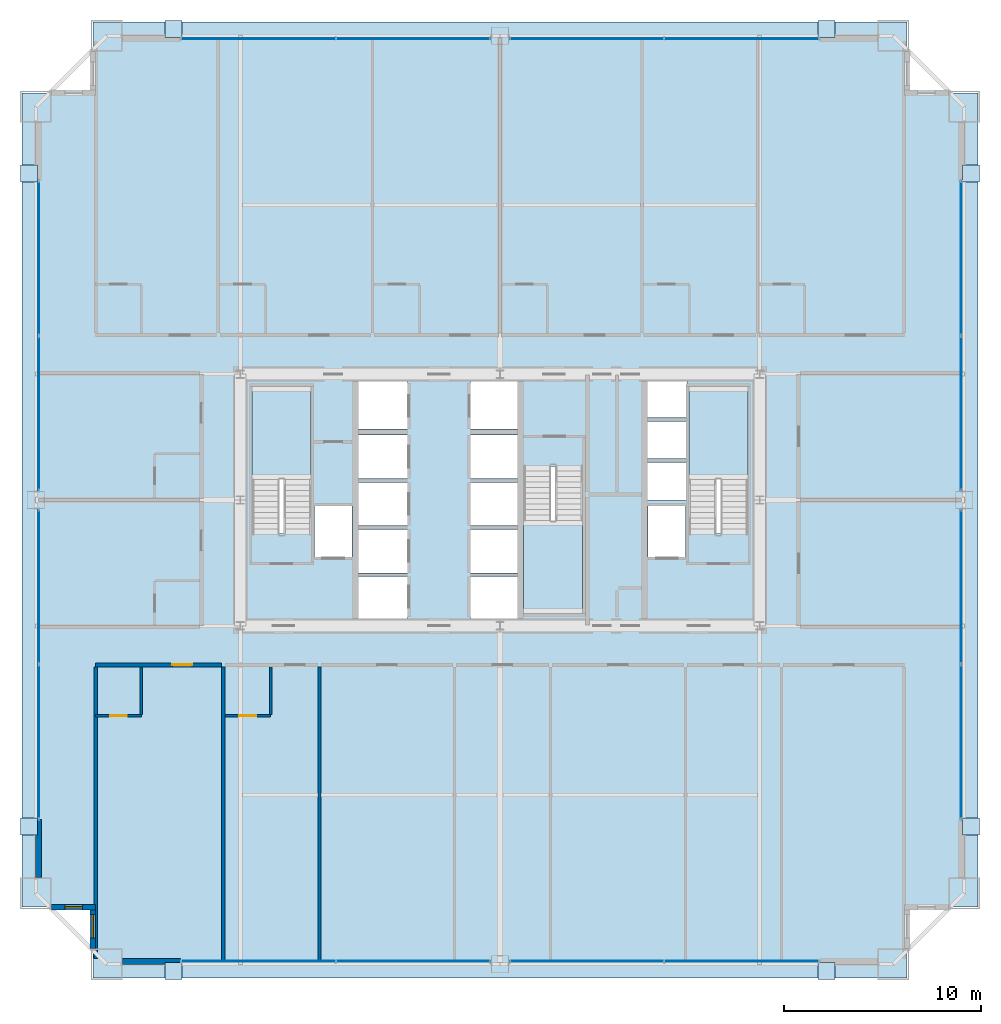
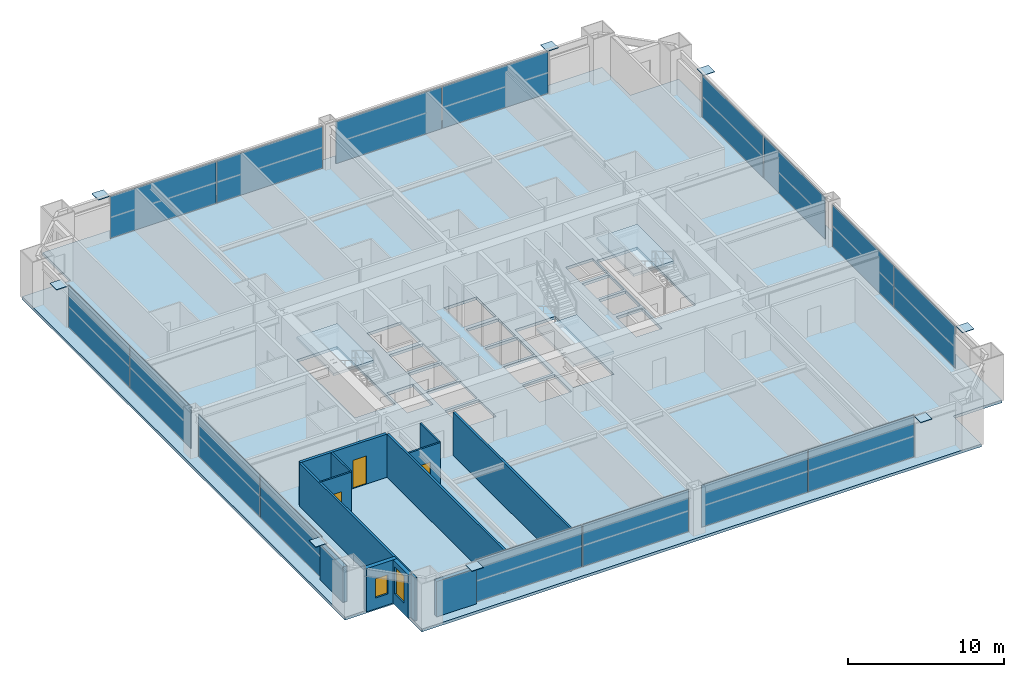
# One storey, part 34 of 39: 24 plates, 12 walls, 4 slabs, 3 doors, 2 windows, 5 openings, 11 elements without a shape of their own.
"""IFC4 building model written with IfcOpenShell, lengths in metres."""

from ifc_helpers import new_model, si_unit, direction, frame, frame_2d, origin, origin_2d, place, context, subcontext, project, spatial, polyline, rectangle, outline, extrude, source, transform, mapped, material, layer, layer_set, type_object, element, fill, aggregate, save


model = new_model("IFC4")

# Units and contexts
model_context = context("Model", 3, precision=1e-05, world=origin(), true_north=direction((0.0, 1.0)))
body_context = subcontext(model_context, "Body", "Model", "MODEL_VIEW")
ifc_project = project(units=[si_unit("LENGTHUNIT", "METRE"), si_unit("AREAUNIT", "SQUARE_METRE"), si_unit("VOLUMEUNIT", "CUBIC_METRE"), si_unit("PLANEANGLEUNIT", "RADIAN"), si_unit("MASSUNIT", "GRAM", prefix="KILO"), si_unit("THERMODYNAMICTEMPERATUREUNIT", "KELVIN"), si_unit("POWERUNIT", "WATT")], contexts=[model_context])

# Site, building, storey
site_placement = place(None, origin())
site = spatial("IfcSite", under=ifc_project, at=site_placement, CompositionType="ELEMENT")
building_placement = place(site_placement, origin())
building = spatial("IfcBuilding", under=site, at=building_placement, Name="Yuzanri Waterfront Tower", CompositionType="ELEMENT")
storey_placement = place(building_placement, frame((0.0, 0.0, 156.0)))
storey = spatial("IfcBuildingStorey", under=building, at=storey_placement, Name="L41", CompositionType="ELEMENT", Elevation=156.0)

# Stair, slab
ifc_material_1 = material(Name="Concrete C40", Category="concrete")
stair_type = type_object("IfcStairType", Name="Concrete C40 Core Dogleg Exit Stair", PredefinedType="HALF_TURN_STAIR", material=ifc_material_1)
stair_1_placement = place(storey_placement, origin())
stair_1 = element("IfcStair", 1, at=stair_1_placement, inside=storey, type_object=stair_type, Name="L41 Smoke-Proof Core Stair ST-01", PredefinedType="HALF_TURN_STAIR")
ifc_material_2 = material(Name="Concrete C40", Category="concrete")
ifc_layer_1 = layer(ifc_material_2, 0.179931640625)
ifc_layer_set_1 = layer_set([ifc_layer_1], Name="Concrete C40")
slab_type_1 = type_object("IfcSlabType", Name="Concrete C40 Stair Half-Landing Slab 180", PredefinedType="LANDING", material=ifc_layer_set_1)
slab_1_placement = place(storey_placement, frame((0.0, 0.0, 1.60009765625)))
slab_1 = element("IfcSlab", 2, at=slab_1_placement, type_object=slab_type_1, Name="ST-01 landing 1", PredefinedType="LANDING", context=body_context, shape_type="SweptSolid", body=[
    extrude(outline(polyline([(27.39990234375, 26.840087890625), (27.39990234375, 31.580078125), (24.39990234375, 31.580078125), (24.39990234375, 26.840087890625), (27.39990234375, 26.840087890625)])), origin(), (0.0, 0.0, 1.0), 0.199951171875),
])
aggregate(stair_1, [slab_1])

stair_2_placement = place(storey_placement, origin())
stair_2 = element("IfcStair", 3, at=stair_2_placement, inside=storey, type_object=stair_type, Name="L41 Smoke-Proof Core Stair ST-02", PredefinedType="HALF_TURN_STAIR")
slab_2_placement = place(storey_placement, frame((0.0, 0.0, 1.60009765625)))
slab_2 = element("IfcSlab", 4, at=slab_2_placement, type_object=slab_type_1, Name="ST-02 landing 1", PredefinedType="LANDING", context=body_context, shape_type="SweptSolid", body=[
    extrude(outline(polyline([(49.60009765625, 26.840087890625), (49.60009765625, 31.580078125), (46.60009765625, 31.580078125), (46.60009765625, 26.840087890625), (49.60009765625, 26.840087890625)])), origin(), (0.0, 0.0, 1.0), 0.199951171875),
])
aggregate(stair_2, [slab_2])

stair_3_placement = place(storey_placement, origin())
stair_3 = element("IfcStair", 5, at=stair_3_placement, inside=storey, type_object=stair_type, Name="L41 Smoke-Proof Core Stair ST-03", PredefinedType="HALF_TURN_STAIR")
slab_3_placement = place(storey_placement, frame((0.0, 0.0, 1.60009765625)))
slab_3 = element("IfcSlab", 6, at=slab_3_placement, type_object=slab_type_1, Name="ST-03 landing 1", PredefinedType="LANDING", context=body_context, shape_type="SweptSolid", body=[
    extrude(outline(polyline([(38.199951171875, 24.760009765625), (38.199951171875, 20.02001953125), (41.199951171875, 20.02001953125), (41.199951171875, 24.760009765625), (38.199951171875, 24.760009765625)])), origin(), (0.0, 0.0, 1.0), 0.199951171875),
])
aggregate(stair_3, [slab_3])

# Slab
ifc_material_3 = material(Name="Concrete C40", Category="concrete")
ifc_layer_2 = layer(ifc_material_3, 0.219970703125)
ifc_layer_set_2 = layer_set([ifc_layer_2], Name="Concrete C40")
slab_type_2 = type_object("IfcSlabType", Name="Concrete C40 Tower Typical Structural Floor Slab 220", PredefinedType="FLOOR", material=ifc_layer_set_2)
slab_4_placement = place(storey_placement, frame((0.0, 0.0, -0.219970703125)))
element("IfcSlab", 7, at=slab_4_placement, inside=storey, type_object=slab_type_2, Name="L41 Main Structural Floor Slab", PredefinedType="FLOOR", context=body_context, shape_type="SweptSolid", body=[
    extrude(outline(polyline([(16.300048828125, 1.5), (57.699951171875, 1.5), (57.699951171875, 5.10009765625), (61.300048828125, 5.10009765625), (61.300048828125, 46.5), (57.699951171875, 46.5), (57.699951171875, 50.10009765625), (16.300048828125, 50.10009765625), (16.300048828125, 46.5), (12.699951171875, 46.5), (12.699951171875, 5.10009765625), (16.300048828125, 5.10009765625), (16.300048828125, 1.5)]), holes=[polyline([(27.39990234375, 24.10009765625), (27.39990234375, 31.580078125), (24.39990234375, 31.580078125), (24.39990234375, 24.10009765625), (27.39990234375, 24.10009765625)]), polyline([(49.60009765625, 24.10009765625), (49.60009765625, 31.580078125), (46.60009765625, 31.580078125), (46.60009765625, 24.10009765625), (49.60009765625, 24.10009765625)]), polyline([(38.199951171875, 27.5), (38.199951171875, 20.02001953125), (41.199951171875, 20.02001953125), (41.199951171875, 27.5), (38.199951171875, 27.5)]), polyline([(27.56005859375, 22.89990234375), (29.47998046875, 22.89990234375), (29.47998046875, 25.5), (27.56005859375, 25.5), (27.56005859375, 22.89990234375)]), polyline([(44.52001953125, 22.89990234375), (46.43994140625, 22.89990234375), (46.43994140625, 25.5), (44.52001953125, 25.5), (44.52001953125, 22.89990234375)]), polyline([(29.800048828125, 19.699951171875), (32.300048828125, 19.699951171875), (32.300048828125, 21.89990234375), (29.800048828125, 21.89990234375), (29.800048828125, 19.699951171875)]), polyline([(29.800048828125, 22.10009765625), (32.300048828125, 22.10009765625), (32.300048828125, 24.300048828125), (29.800048828125, 24.300048828125), (29.800048828125, 22.10009765625)]), polyline([(29.800048828125, 24.5), (32.300048828125, 24.5), (32.300048828125, 26.699951171875), (29.800048828125, 26.699951171875), (29.800048828125, 24.5)]), polyline([(29.800048828125, 26.89990234375), (32.300048828125, 26.89990234375), (32.300048828125, 29.10009765625), (29.800048828125, 29.10009765625), (29.800048828125, 26.89990234375)]), polyline([(29.800048828125, 29.39990234375), (32.300048828125, 29.39990234375), (32.300048828125, 31.89990234375), (29.800048828125, 31.89990234375), (29.800048828125, 29.39990234375)]), polyline([(35.5, 19.699951171875), (37.89990234375, 19.699951171875), (37.89990234375, 21.89990234375), (35.5, 21.89990234375), (35.5, 19.699951171875)]), polyline([(35.5, 22.10009765625), (37.89990234375, 22.10009765625), (37.89990234375, 24.300048828125), (35.5, 24.300048828125), (35.5, 22.10009765625)]), polyline([(35.5, 24.5), (37.89990234375, 24.5), (37.89990234375, 26.699951171875), (35.5, 26.699951171875), (35.5, 24.5)]), polyline([(35.5, 26.89990234375), (37.89990234375, 26.89990234375), (37.89990234375, 29.10009765625), (35.5, 29.10009765625), (35.5, 26.89990234375)]), polyline([(35.5, 29.39990234375), (37.89990234375, 29.39990234375), (37.89990234375, 31.89990234375), (35.5, 31.89990234375), (35.5, 29.39990234375)]), polyline([(44.5, 25.800048828125), (46.5, 25.800048828125), (46.5, 27.699951171875), (44.5, 27.699951171875), (44.5, 25.800048828125)]), polyline([(44.5, 27.89990234375), (46.5, 27.89990234375), (46.5, 29.800048828125), (44.5, 29.800048828125), (44.5, 27.89990234375)]), polyline([(44.5, 30.0), (46.5, 30.0), (46.5, 31.89990234375), (44.5, 31.89990234375), (44.5, 30.0)])]), origin(), (0.0, 0.0, 1.0), 0.219970703125),
])

# Plates
ifc_material_4 = material(Name="Steel Q420GJC", Category="steel")
ifc_layer_3 = layer(ifc_material_4, 0.0400390625)
ifc_layer_set_3 = layer_set([ifc_layer_3], Name="Steel Q420GJC")
plate_type_1 = type_object("IfcPlateType", Name="Steel Q420GJC Mega-Brace Gusset and End-Cap Plate 40", PredefinedType="SHEET", material=ifc_layer_set_3)
shared_shape_1 = source(origin(), body_context, "Body", "SweptSolid", [
    extrude(rectangle(XDim=0.85009765625, YDim=0.85009765625, at=origin_2d()), origin(), (0.0, 0.0, 1.0), 0.0400390625),
])
for number, where, z_axis, x_axis, name in (
    (8, (20.39990234375, 1.860107421875, 3.260009765625), (0.0, 0.0, 1.0), (1.0, 0.0, 0.0), "L41 Mega-Brace Apex Cap Plate S-L"),
    (9, (53.60009765625, 1.860107421875, 3.260009765625), (0.0, 0.0, 1.0), (1.0, 0.0, 0.0), "L41 Mega-Brace Apex Cap Plate S-R"),
    (10, (20.39990234375, 49.739990234375, 3.260009765625), (0.0, 0.0, 1.0), (1.0, 0.0, 0.0), "L41 Mega-Brace Apex Cap Plate N-L"),
    (11, (53.60009765625, 49.739990234375, 3.260009765625), (0.0, 0.0, 1.0), (1.0, 0.0, 0.0), "L41 Mega-Brace Apex Cap Plate N-R"),
    (12, (13.06005859375, 9.199951171875, 3.260009765625), (0.0, 0.0, 1.0), (1.0, 0.0, 0.0), "L41 Mega-Brace Apex Cap Plate W-L"),
    (13, (13.06005859375, 42.39990234375, 3.260009765625), (0.0, 0.0, 1.0), (1.0, 0.0, 0.0), "L41 Mega-Brace Apex Cap Plate W-R"),
    (14, (60.93994140625, 9.199951171875, 3.260009765625), (0.0, 0.0, 1.0), (1.0, 0.0, 0.0), "L41 Mega-Brace Apex Cap Plate E-L"),
    (15, (60.93994140625, 42.39990234375, 3.260009765625), (0.0, 0.0, 1.0), (1.0, 0.0, 0.0), "L41 Mega-Brace Apex Cap Plate E-R"),
):
    element("IfcPlate", number, at=place(storey_placement, frame(where, z_axis=z_axis, x_axis=x_axis)), inside=storey, type_object=plate_type_1, Name=name, PredefinedType="SHEET", context=body_context, shape_type="MappedRepresentation", body=[
        mapped(shared_shape_1, transform((0.0, 0.0, 0.0), scale=1.0)),
    ])

# Curtain wall, plates
ifc_material_5 = material(Name="Anodized Architectural Bronze", Category="metal")
ifc_layer_4 = layer(ifc_material_5, 0.159912109375)
ifc_layer_set_4 = layer_set([ifc_layer_4], Name="Anodized Architectural Bronze")
curtain_wall_type = type_object("IfcCurtainWallType", Name="Anodized Bronze Hotel Upper-Tier Solar-Control Unitized Curtain Wall 7800", PredefinedType="NOTDEFINED", material=ifc_layer_set_4)
curtain_wall_1_placement = place(storey_placement, origin())
curtain_wall_1 = element("IfcCurtainWall", 16, at=curtain_wall_1_placement, inside=storey, type_object=curtain_wall_type, Name="L41 Curtain Wall CW-L41-SL", PredefinedType="NOTDEFINED")
ifc_material_6 = material(Name="Double-Silver Low-E Insulated Glass", Category="glass")
ifc_layer_5 = layer(ifc_material_6, 0.035888671875)
ifc_layer_set_5 = layer_set([ifc_layer_5], Name="Double-Silver Low-E Insulated Glass")
plate_type_2 = type_object("IfcPlateType", Name="Double Silver Low-E Insulated Vision Glass Panel 36", PredefinedType="CURTAIN_PANEL", material=ifc_layer_set_5)
shared_shape_2 = source(origin(), body_context, "Body", "SweptSolid", [
    extrude(rectangle(XDim=7.820068359375, YDim=0.035888671875, at=origin_2d()), origin(), (0.0, 0.0, 1.0), 3.280029296875),
])
plate_1_placement = place(storey_placement, frame((24.699951171875, 2.35009765625, 0.0498046875), z_axis=(0.0, 0.0, 1.0), x_axis=(1.0, 0.0, 0.0)))
plate_1 = element("IfcPlate", 17, at=plate_1_placement, type_object=plate_type_2, Name="CW-L41-SL Vision Glass Panel 01", PredefinedType="CURTAIN_PANEL", context=body_context, shape_type="MappedRepresentation", body=[
    mapped(shared_shape_2, transform((0.0, 0.0, 0.0), scale=1.0)),
])
plate_2_placement = place(storey_placement, frame((32.60009765625, 2.35009765625, 0.0498046875), z_axis=(0.0, 0.0, 1.0), x_axis=(1.0, 0.0, 0.0)))
plate_2 = element("IfcPlate", 18, at=plate_2_placement, type_object=plate_type_2, Name="CW-L41-SL Vision Glass Panel 02", PredefinedType="CURTAIN_PANEL", context=body_context, shape_type="MappedRepresentation", body=[
    mapped(shared_shape_2, transform((0.0, 0.0, 0.0), scale=1.0)),
])
aggregate(curtain_wall_1, [plate_1, plate_2])

curtain_wall_2_placement = place(storey_placement, origin())
curtain_wall_2 = element("IfcCurtainWall", 19, at=curtain_wall_2_placement, inside=storey, type_object=curtain_wall_type, Name="L41 Curtain Wall CW-L41-SR", PredefinedType="NOTDEFINED")
plate_3_placement = place(storey_placement, frame((41.39990234375, 2.35009765625, 0.0498046875), z_axis=(0.0, 0.0, 1.0), x_axis=(1.0, 0.0, 0.0)))
plate_3 = element("IfcPlate", 20, at=plate_3_placement, type_object=plate_type_2, Name="CW-L41-SR Vision Glass Panel 01", PredefinedType="CURTAIN_PANEL", context=body_context, shape_type="MappedRepresentation", body=[
    mapped(shared_shape_2, transform((0.0, 0.0, 0.0), scale=1.0)),
])
plate_4_placement = place(storey_placement, frame((49.300048828125, 2.35009765625, 0.0498046875), z_axis=(0.0, 0.0, 1.0), x_axis=(1.0, 0.0, 0.0)))
plate_4 = element("IfcPlate", 21, at=plate_4_placement, type_object=plate_type_2, Name="CW-L41-SR Vision Glass Panel 02", PredefinedType="CURTAIN_PANEL", context=body_context, shape_type="MappedRepresentation", body=[
    mapped(shared_shape_2, transform((0.0, 0.0, 0.0), scale=1.0)),
])
aggregate(curtain_wall_2, [plate_3, plate_4])

curtain_wall_3_placement = place(storey_placement, origin())
curtain_wall_3 = element("IfcCurtainWall", 22, at=curtain_wall_3_placement, inside=storey, type_object=curtain_wall_type, Name="L41 Curtain Wall CW-L41-NL", PredefinedType="NOTDEFINED")
plate_5_placement = place(storey_placement, frame((24.699951171875, 49.25, 0.0498046875), z_axis=(0.0, 0.0, 1.0), x_axis=(1.0, 0.0, 0.0)))
plate_5 = element("IfcPlate", 23, at=plate_5_placement, type_object=plate_type_2, Name="CW-L41-NL Vision Glass Panel 01", PredefinedType="CURTAIN_PANEL", context=body_context, shape_type="MappedRepresentation", body=[
    mapped(shared_shape_2, transform((0.0, 0.0, 0.0), scale=1.0)),
])
plate_6_placement = place(storey_placement, frame((32.60009765625, 49.25, 0.0498046875), z_axis=(0.0, 0.0, 1.0), x_axis=(1.0, 0.0, 0.0)))
plate_6 = element("IfcPlate", 24, at=plate_6_placement, type_object=plate_type_2, Name="CW-L41-NL Vision Glass Panel 02", PredefinedType="CURTAIN_PANEL", context=body_context, shape_type="MappedRepresentation", body=[
    mapped(shared_shape_2, transform((0.0, 0.0, 0.0), scale=1.0)),
])
aggregate(curtain_wall_3, [plate_5, plate_6])

curtain_wall_4_placement = place(storey_placement, origin())
curtain_wall_4 = element("IfcCurtainWall", 25, at=curtain_wall_4_placement, inside=storey, type_object=curtain_wall_type, Name="L41 Curtain Wall CW-L41-NR", PredefinedType="NOTDEFINED")
plate_7_placement = place(storey_placement, frame((41.39990234375, 49.25, 0.0498046875), z_axis=(0.0, 0.0, 1.0), x_axis=(1.0, 0.0, 0.0)))
plate_7 = element("IfcPlate", 26, at=plate_7_placement, type_object=plate_type_2, Name="CW-L41-NR Vision Glass Panel 01", PredefinedType="CURTAIN_PANEL", context=body_context, shape_type="MappedRepresentation", body=[
    mapped(shared_shape_2, transform((0.0, 0.0, 0.0), scale=1.0)),
])
plate_8_placement = place(storey_placement, frame((49.300048828125, 49.25, 0.0498046875), z_axis=(0.0, 0.0, 1.0), x_axis=(1.0, 0.0, 0.0)))
plate_8 = element("IfcPlate", 27, at=plate_8_placement, type_object=plate_type_2, Name="CW-L41-NR Vision Glass Panel 02", PredefinedType="CURTAIN_PANEL", context=body_context, shape_type="MappedRepresentation", body=[
    mapped(shared_shape_2, transform((0.0, 0.0, 0.0), scale=1.0)),
])
aggregate(curtain_wall_4, [plate_7, plate_8])

curtain_wall_5_placement = place(storey_placement, origin())
curtain_wall_5 = element("IfcCurtainWall", 28, at=curtain_wall_5_placement, inside=storey, type_object=curtain_wall_type, Name="L41 Curtain Wall CW-L41-WL", PredefinedType="NOTDEFINED")
plate_9_placement = place(storey_placement, frame((13.550048828125, 13.5, 0.0498046875), z_axis=(0.0, 0.0, 1.0), x_axis=(0.0, 1.0, 0.0)))
plate_9 = element("IfcPlate", 29, at=plate_9_placement, type_object=plate_type_2, Name="CW-L41-WL Vision Glass Panel 01", PredefinedType="CURTAIN_PANEL", context=body_context, shape_type="MappedRepresentation", body=[
    mapped(shared_shape_2, transform((0.0, 0.0, 0.0), scale=1.0)),
])
plate_10_placement = place(storey_placement, frame((13.550048828125, 21.39990234375, 0.0498046875), z_axis=(0.0, 0.0, 1.0), x_axis=(0.0, 1.0, 0.0)))
plate_10 = element("IfcPlate", 30, at=plate_10_placement, type_object=plate_type_2, Name="CW-L41-WL Vision Glass Panel 02", PredefinedType="CURTAIN_PANEL", context=body_context, shape_type="MappedRepresentation", body=[
    mapped(shared_shape_2, transform((0.0, 0.0, 0.0), scale=1.0)),
])
aggregate(curtain_wall_5, [plate_9, plate_10])

curtain_wall_6_placement = place(storey_placement, origin())
curtain_wall_6 = element("IfcCurtainWall", 31, at=curtain_wall_6_placement, inside=storey, type_object=curtain_wall_type, Name="L41 Curtain Wall CW-L41-WR", PredefinedType="NOTDEFINED")
plate_11_placement = place(storey_placement, frame((13.550048828125, 30.199951171875, 0.0498046875), z_axis=(0.0, 0.0, 1.0), x_axis=(0.0, 1.0, 0.0)))
plate_11 = element("IfcPlate", 32, at=plate_11_placement, type_object=plate_type_2, Name="CW-L41-WR Vision Glass Panel 01", PredefinedType="CURTAIN_PANEL", context=body_context, shape_type="MappedRepresentation", body=[
    mapped(shared_shape_2, transform((0.0, 0.0, 0.0), scale=1.0)),
])
plate_12_placement = place(storey_placement, frame((13.550048828125, 38.10009765625, 0.0498046875), z_axis=(0.0, 0.0, 1.0), x_axis=(0.0, 1.0, 0.0)))
plate_12 = element("IfcPlate", 33, at=plate_12_placement, type_object=plate_type_2, Name="CW-L41-WR Vision Glass Panel 02", PredefinedType="CURTAIN_PANEL", context=body_context, shape_type="MappedRepresentation", body=[
    mapped(shared_shape_2, transform((0.0, 0.0, 0.0), scale=1.0)),
])
aggregate(curtain_wall_6, [plate_11, plate_12])

curtain_wall_7_placement = place(storey_placement, origin())
curtain_wall_7 = element("IfcCurtainWall", 34, at=curtain_wall_7_placement, inside=storey, type_object=curtain_wall_type, Name="L41 Curtain Wall CW-L41-EL", PredefinedType="NOTDEFINED")
plate_13_placement = place(storey_placement, frame((60.449951171875, 13.5, 0.0498046875), z_axis=(0.0, 0.0, 1.0), x_axis=(0.0, 1.0, 0.0)))
plate_13 = element("IfcPlate", 35, at=plate_13_placement, type_object=plate_type_2, Name="CW-L41-EL Vision Glass Panel 01", PredefinedType="CURTAIN_PANEL", context=body_context, shape_type="MappedRepresentation", body=[
    mapped(shared_shape_2, transform((0.0, 0.0, 0.0), scale=1.0)),
])
plate_14_placement = place(storey_placement, frame((60.449951171875, 21.39990234375, 0.0498046875), z_axis=(0.0, 0.0, 1.0), x_axis=(0.0, 1.0, 0.0)))
plate_14 = element("IfcPlate", 36, at=plate_14_placement, type_object=plate_type_2, Name="CW-L41-EL Vision Glass Panel 02", PredefinedType="CURTAIN_PANEL", context=body_context, shape_type="MappedRepresentation", body=[
    mapped(shared_shape_2, transform((0.0, 0.0, 0.0), scale=1.0)),
])
aggregate(curtain_wall_7, [plate_13, plate_14])

curtain_wall_8_placement = place(storey_placement, origin())
curtain_wall_8 = element("IfcCurtainWall", 37, at=curtain_wall_8_placement, inside=storey, type_object=curtain_wall_type, Name="L41 Curtain Wall CW-L41-ER", PredefinedType="NOTDEFINED")
plate_15_placement = place(storey_placement, frame((60.449951171875, 30.199951171875, 0.0498046875), z_axis=(0.0, 0.0, 1.0), x_axis=(0.0, 1.0, 0.0)))
plate_15 = element("IfcPlate", 38, at=plate_15_placement, type_object=plate_type_2, Name="CW-L41-ER Vision Glass Panel 01", PredefinedType="CURTAIN_PANEL", context=body_context, shape_type="MappedRepresentation", body=[
    mapped(shared_shape_2, transform((0.0, 0.0, 0.0), scale=1.0)),
])
plate_16_placement = place(storey_placement, frame((60.449951171875, 38.10009765625, 0.0498046875), z_axis=(0.0, 0.0, 1.0), x_axis=(0.0, 1.0, 0.0)))
plate_16 = element("IfcPlate", 39, at=plate_16_placement, type_object=plate_type_2, Name="CW-L41-ER Vision Glass Panel 02", PredefinedType="CURTAIN_PANEL", context=body_context, shape_type="MappedRepresentation", body=[
    mapped(shared_shape_2, transform((0.0, 0.0, 0.0), scale=1.0)),
])
aggregate(curtain_wall_8, [plate_15, plate_16])

# Wall, opening, door
ifc_material_7 = material(Name="Moisture-Resistant Gypsum Stud Wall", Category="gypsum")
ifc_layer_6 = layer(ifc_material_7, 0.1201171875)
ifc_layer_set_6 = layer_set([ifc_layer_6], Name="Moisture-Resistant Gypsum Stud Wall")
wall_type_1 = type_object("IfcWallType", Name="Bathroom and Kitchen Wet Partition 120", PredefinedType="PARTITIONING", material=ifc_layer_set_6)
wall_1_placement = place(storey_placement, frame((16.43994140625, 14.840087890625, 0.0), z_axis=(0.0, 0.0, 1.0), x_axis=(1.0, 0.0, 0.0)))
wall_1 = element("IfcWall", 40, at=wall_1_placement, inside=storey, type_object=wall_type_1, Name="L41 Partition UW-L41-S1-BS", PredefinedType="PARTITIONING", context=body_context, shape_type="SweptSolid", body=[
    extrude(rectangle(XDim=2.330078125, YDim=0.1201171875, at=frame_2d((1.1650390625, 0.0))), origin(), (0.0, 0.0, 1.0), 3.3798828125),
])
opening_1_placement = place(wall_1_placement, frame((0.739990234375, 0.0, 0.0)))
opening_1 = element("IfcOpeningElement", 41, at=opening_1_placement, cuts=wall_1, Name="Opening ID-0850", PredefinedType="OPENING", context=body_context, shape_type="SweptSolid", body=[
    extrude(rectangle(XDim=0.85009765625, YDim=2.10009765625, at=frame_2d((0.425048828125, 1.050048828125))), frame((0.0, 0.074951171875, 0.0), z_axis=(0.0, -1.0, 0.0), x_axis=(1.0, 0.0, 0.0)), (0.0, 0.0, 1.0), 0.14990234375),
])
ifc_material_8 = material(Name="Moisture-Resistant Lacquered Timber", Category="wood")
door_type_1 = type_object("IfcDoorType", Name="En-Suite Bathroom and Kitchen Swing Door 850x2100", OperationType="NOTDEFINED", PredefinedType="DOOR", material=ifc_material_8)
shared_shape_3 = source(origin(), body_context, "Body", "SweptSolid", [
    extrude(rectangle(XDim=0.85009765625, YDim=2.10009765625, at=frame_2d((0.425048828125, 1.050048828125))), frame((0.0, 0.02490234375, 0.0), z_axis=(0.0, -1.0, 0.0), x_axis=(1.0, 0.0, 0.0)), (0.0, 0.0, 1.0), 0.050048828125),
])
door_1_placement = place(opening_1_placement, origin())
door_1 = element("IfcDoor", 42, at=door_1_placement, inside=storey, type_object=door_type_1, Name="L41 Guest En-Suite Door", OperationType="SINGLE_SWING_RIGHT", OverallHeight=2.10009765625, OverallWidth=0.85009765625, PredefinedType="DOOR", context=body_context, shape_type="MappedRepresentation", body=[
    mapped(shared_shape_3, transform((0.0, 0.0, 0.0), scale=1.0)),
])
fill(opening_1, door_1)

wall_2_placement = place(storey_placement, frame((23.010986328125, 14.840087890625, 0.0), z_axis=(0.0, 0.0, 1.0), x_axis=(1.0, 0.0, 0.0)))
wall_2 = element("IfcWall", 43, at=wall_2_placement, inside=storey, type_object=wall_type_1, Name="L41 Partition UW-L41-S2-BS", PredefinedType="PARTITIONING", context=body_context, shape_type="SweptSolid", body=[
    extrude(rectangle(XDim=2.330078125, YDim=0.1201171875, at=frame_2d((1.1650390625, 0.0))), origin(), (0.0, 0.0, 1.0), 3.3798828125),
])
opening_2_placement = place(wall_2_placement, frame((0.739990234375, 0.0, 0.0)))
opening_2 = element("IfcOpeningElement", 44, at=opening_2_placement, cuts=wall_2, Name="Opening ID-0850", PredefinedType="OPENING", context=body_context, shape_type="SweptSolid", body=[
    extrude(rectangle(XDim=0.85009765625, YDim=2.10009765625, at=frame_2d((0.425048828125, 1.050048828125))), frame((0.0, 0.074951171875, 0.0), z_axis=(0.0, -1.0, 0.0), x_axis=(1.0, 0.0, 0.0)), (0.0, 0.0, 1.0), 0.14990234375),
])
door_2_placement = place(opening_2_placement, origin())
door_2 = element("IfcDoor", 45, at=door_2_placement, inside=storey, type_object=door_type_1, Name="L41 Guest En-Suite Door", OperationType="SINGLE_SWING_RIGHT", OverallHeight=2.10009765625, OverallWidth=0.85009765625, PredefinedType="DOOR", context=body_context, shape_type="MappedRepresentation", body=[
    mapped(shared_shape_3, transform((0.0, 0.0, 0.0), scale=1.0)),
])
fill(opening_2, door_2)

# Wall, opening, window
ifc_material_9 = material(Name="Honed Chongqing Dark Basalt Stone", Category="masonry")
ifc_layer_7 = layer(ifc_material_9, 0.300048828125)
ifc_layer_set_7 = layer_set([ifc_layer_7], Name="Honed Chongqing Dark Basalt Stone")
wall_type_2 = type_object("IfcWallType", Name="Bronze Rainscreen Insulated Spandrel Portal Wall 300", PredefinedType="SOLIDWALL", material=ifc_layer_set_7)
wall_3_placement = place(storey_placement, frame((14.199951171875, 5.10009765625, 0.0), z_axis=(0.0, 0.0, 1.0), x_axis=(1.0, 0.0, 0.0)))
wall_3 = element("IfcWall", 46, at=wall_3_placement, inside=storey, type_object=wall_type_2, Name="L41 Notched Corner Masonry Wall SW-X", PredefinedType="SOLIDWALL", context=body_context, shape_type="SweptSolid", body=[
    extrude(rectangle(XDim=2.25, YDim=0.300048828125, at=frame_2d((1.125, 0.0))), origin(), (0.0, 0.0, 1.0), 3.3798828125),
])
opening_3_placement = place(wall_3_placement, frame((0.675048828125, 0.0, 0.85009765625)))
opening_3 = element("IfcOpeningElement", 47, at=opening_3_placement, cuts=wall_3, Name="Opening WN-05", PredefinedType="OPENING", context=body_context, shape_type="SweptSolid", body=[
    extrude(rectangle(XDim=0.89990234375, YDim=1.5, at=frame_2d((0.449951171875, 0.75))), frame((0.0, 0.1650390625, 0.0), z_axis=(0.0, -1.0, 0.0), x_axis=(1.0, 0.0, 0.0)), (0.0, 0.0, 1.0), 0.329833984375),
])
ifc_material_10 = material(Name="Double-Silver Low-E Insulated Glass", Category="glass")
window_type_1 = type_object("IfcWindowType", Name="Anodized Bronze Service and Stairwell Smoke-Vent Window 900x1500", PartitioningType="SINGLE_PANEL", PredefinedType="WINDOW", material=ifc_material_10)
shared_shape_4 = source(origin(), body_context, "Body", "SweptSolid", [
    extrude(rectangle(XDim=0.89990234375, YDim=1.5, at=frame_2d((0.449951171875, 0.75))), frame((0.0, 0.030029296875, 0.0), z_axis=(0.0, -1.0, 0.0), x_axis=(1.0, 0.0, 0.0)), (0.0, 0.0, 1.0), 0.06005859375),
])
window_1_placement = place(opening_3_placement, origin())
window_1 = element("IfcWindow", 48, at=window_1_placement, inside=storey, type_object=window_type_1, Name="L41 Notched Corner Window SW-X", OverallHeight=1.5, OverallWidth=0.89990234375, PartitioningType="SINGLE_PANEL", PredefinedType="WINDOW", context=body_context, shape_type="MappedRepresentation", body=[
    mapped(shared_shape_4, transform((0.0, 0.0, 0.0), scale=1.0)),
])
fill(opening_3, window_1)

wall_4_placement = place(storey_placement, frame((16.300048828125, 5.25, 0.0), z_axis=(0.0, 0.0, 1.0), x_axis=(0.0, -1.0, 0.0)))
wall_4 = element("IfcWall", 49, at=wall_4_placement, inside=storey, type_object=wall_type_2, Name="L41 Notched Corner Masonry Wall SW-Y", PredefinedType="SOLIDWALL", context=body_context, shape_type="SweptSolid", body=[
    extrude(rectangle(XDim=2.25, YDim=0.300048828125, at=frame_2d((1.125, 0.0))), origin(), (0.0, 0.0, 1.0), 3.3798828125),
])
opening_4_placement = place(wall_4_placement, frame((0.52490234375, 0.0, 0.85009765625)))
opening_4 = element("IfcOpeningElement", 50, at=opening_4_placement, cuts=wall_4, Name="Opening WN-02", PredefinedType="OPENING", context=body_context, shape_type="SweptSolid", body=[
    extrude(rectangle(XDim=1.199951171875, YDim=2.10009765625, at=frame_2d((0.60009765625, 1.050048828125))), frame((0.0, 0.1650390625, 0.0), z_axis=(0.0, -1.0, 0.0), x_axis=(1.0, 0.0, 0.0)), (0.0, 0.0, 1.0), 0.329833984375),
])
ifc_material_11 = material(Name="Double-Silver Low-E Insulated Glass", Category="glass")
window_type_2 = type_object("IfcWindowType", Name="Anodized Bronze Notched Corner Deep-Set Slot Window 1200x2100", PartitioningType="SINGLE_PANEL", PredefinedType="WINDOW", material=ifc_material_11)
shared_shape_5 = source(origin(), body_context, "Body", "SweptSolid", [
    extrude(rectangle(XDim=1.199951171875, YDim=2.10009765625, at=frame_2d((0.60009765625, 1.050048828125))), frame((0.0, 0.030029296875, 0.0), z_axis=(0.0, -1.0, 0.0), x_axis=(1.0, 0.0, 0.0)), (0.0, 0.0, 1.0), 0.06005859375),
])
window_2_placement = place(opening_4_placement, origin())
window_2 = element("IfcWindow", 51, at=window_2_placement, inside=storey, type_object=window_type_2, Name="L41 Notched Corner Window SW-Y", OverallHeight=2.10009765625, OverallWidth=1.199951171875, PartitioningType="SINGLE_PANEL", PredefinedType="WINDOW", context=body_context, shape_type="MappedRepresentation", body=[
    mapped(shared_shape_5, transform((0.0, 0.0, 0.0), scale=1.0)),
])
fill(opening_4, window_2)

# Wall, opening, door
ifc_material_12 = material(Name="Autoclaved Aerated Concrete Blockwork", Category="masonry")
ifc_layer_8 = layer(ifc_material_12, 0.199951171875)
ifc_layer_set_8 = layer_set([ifc_layer_8], Name="Autoclaved Aerated Concrete Blockwork")
wall_type_3 = type_object("IfcWallType", Name="Corridor and Unit Party Fire Wall 200", PredefinedType="PARTITIONING", material=ifc_layer_set_8)
wall_5_placement = place(storey_placement, frame((16.43994140625, 17.419921875, 0.0), z_axis=(0.0, 0.0, 1.0), x_axis=(1.0, 0.0, 0.0)))
wall_5 = element("IfcWall", 52, at=wall_5_placement, inside=storey, type_object=wall_type_3, Name="L41 Partition UW-L41-S1-CN", PredefinedType="PARTITIONING", context=body_context, shape_type="SweptSolid", body=[
    extrude(rectangle(XDim=6.4111328125, YDim=0.199951171875, at=frame_2d((3.20556640625, 0.0))), origin(), (0.0, 0.0, 1.0), 3.3798828125),
])
opening_5_placement = place(wall_5_placement, frame((3.910888671875, 0.0, 0.0)))
opening_5 = element("IfcOpeningElement", 53, at=opening_5_placement, cuts=wall_5, Name="Opening FD-1000", PredefinedType="OPENING", context=body_context, shape_type="SweptSolid", body=[
    extrude(rectangle(XDim=1.0, YDim=2.199951171875, at=frame_2d((0.5, 1.10009765625))), frame((0.0, 0.11474609375, 0.0), z_axis=(0.0, -1.0, 0.0), x_axis=(1.0, 0.0, 0.0)), (0.0, 0.0, 1.0), 0.229736328125),
])
ifc_material_13 = material(Name="Engineered Oak Fire-Rated Timber", Category="wood")
door_type_2 = type_object("IfcDoorType", Name="Guestroom and Apartment Entrance Fire Door 1000x2200", OperationType="NOTDEFINED", PredefinedType="DOOR", material=ifc_material_13)
shared_shape_6 = source(origin(), body_context, "Body", "SweptSolid", [
    extrude(rectangle(XDim=1.0, YDim=2.199951171875, at=frame_2d((0.5, 1.10009765625))), frame((0.0, 0.02490234375, 0.0), z_axis=(0.0, -1.0, 0.0), x_axis=(1.0, 0.0, 0.0)), (0.0, 0.0, 1.0), 0.050048828125),
])
door_3_placement = place(opening_5_placement, origin())
door_3 = element("IfcDoor", 54, at=door_3_placement, inside=storey, type_object=door_type_2, Name="L41 Premier Riverview Junior Suite Entrance Door", OperationType="SINGLE_SWING_LEFT", OverallHeight=2.199951171875, OverallWidth=1.0, PredefinedType="DOOR", context=body_context, shape_type="MappedRepresentation", body=[
    mapped(shared_shape_6, transform((0.0, 0.0, 0.0), scale=1.0)),
])
fill(opening_5, door_3)

# Walls
shared_shape_7 = source(origin(), body_context, "Body", "SweptSolid", [
    extrude(rectangle(XDim=2.949951171875, YDim=0.300048828125, at=frame_2d((1.47509765625, 0.0))), origin(), (0.0, 0.0, 1.0), 2.77490234375),
])
for number, where, z_axis, x_axis, name in (
    (55, (17.800048828125, 2.35009765625, 0.0), (0.0, 0.0, 1.0), (1.0, 0.0, 0.0), "L41 S Left Braced Masonry Shoulder"),
    (56, (13.550048828125, 6.60009765625, 0.0), (0.0, 0.0, 1.0), (0.0, 1.0, 0.0), "L41 W Left Braced Masonry Shoulder"),
):
    element("IfcWall", number, at=place(storey_placement, frame(where, z_axis=z_axis, x_axis=x_axis)), inside=storey, type_object=wall_type_2, Name=name, PredefinedType="SOLIDWALL", context=body_context, shape_type="MappedRepresentation", body=[
        mapped(shared_shape_7, transform((0.0, 0.0, 0.0), scale=1.0)),
    ])
shared_shape_8 = source(origin(), body_context, "Body", "SweptSolid", [
    extrude(rectangle(XDim=2.420166015625, YDim=0.1201171875, at=frame_2d((1.2099609375, 0.0))), origin(), (0.0, 0.0, 1.0), 3.3798828125),
])
for number, where, z_axis, x_axis, name in (
    (57, (18.77001953125, 14.89990234375, 0.0), (0.0, 0.0, 1.0), (0.0, 1.0, 0.0), "L41-S1 En-Suite Side Wall"),
    (58, (25.341064453125, 14.89990234375, 0.0), (0.0, 0.0, 1.0), (0.0, 1.0, 0.0), "L41-S2 En-Suite Side Wall"),
):
    element("IfcWall", number, at=place(storey_placement, frame(where, z_axis=z_axis, x_axis=x_axis)), inside=storey, type_object=wall_type_1, Name=name, PredefinedType="PARTITIONING", context=body_context, shape_type="MappedRepresentation", body=[
        mapped(shared_shape_8, transform((0.0, 0.0, 0.0), scale=1.0)),
    ])
ifc_material_14 = material(Name="Gypsum Fireboard Acoustic Stud Wall", Category="gypsum")
ifc_layer_9 = layer(ifc_material_14, 0.159912109375)
ifc_layer_set_9 = layer_set([ifc_layer_9], Name="Gypsum Fireboard Acoustic Stud Wall")
wall_type_4 = type_object("IfcWallType", Name="Acoustic Suite Demising Partition 160", PredefinedType="PARTITIONING", material=ifc_layer_set_9)
shared_shape_9 = source(origin(), body_context, "Body", "SweptSolid", [
    extrude(rectangle(XDim=14.969970703125, YDim=0.159912109375, at=frame_2d((7.48486328125, 0.0))), origin(), (0.0, 0.0, 1.0), 3.3798828125),
])
for number, where, z_axis, x_axis, name in (
    (59, (22.930908203125, 2.35009765625, 0.0), (0.0, 0.0, 1.0), (0.0, 1.0, 0.0), "L41-S1 Party Wall"),
    (60, (27.818115234375, 2.35009765625, 0.0), (0.0, 0.0, 1.0), (0.0, 1.0, 0.0), "L41-S2 Party Wall"),
):
    element("IfcWall", number, at=place(storey_placement, frame(where, z_axis=z_axis, x_axis=x_axis)), inside=storey, type_object=wall_type_4, Name=name, PredefinedType="PARTITIONING", context=body_context, shape_type="MappedRepresentation", body=[
        mapped(shared_shape_9, transform((0.0, 0.0, 0.0), scale=1.0)),
    ])
shared_shape_10 = source(origin(), body_context, "Body", "SweptSolid", [
    extrude(rectangle(XDim=14.820068359375, YDim=0.159912109375, at=frame_2d((7.41015625, 0.0))), origin(), (0.0, 0.0, 1.0), 3.3798828125),
])
wall_6_placement = place(storey_placement, frame((16.449951171875, 2.5, 0.0), z_axis=(0.0, 0.0, 1.0), x_axis=(0.0, 1.0, 0.0)))
element("IfcWall", 61, at=wall_6_placement, inside=storey, type_object=wall_type_4, Name="L41 South Band West End Wall", PredefinedType="PARTITIONING", context=body_context, shape_type="MappedRepresentation", body=[
    mapped(shared_shape_10, transform((0.0, 0.0, 0.0), scale=1.0)),
])

save(model, "model.ifc")
